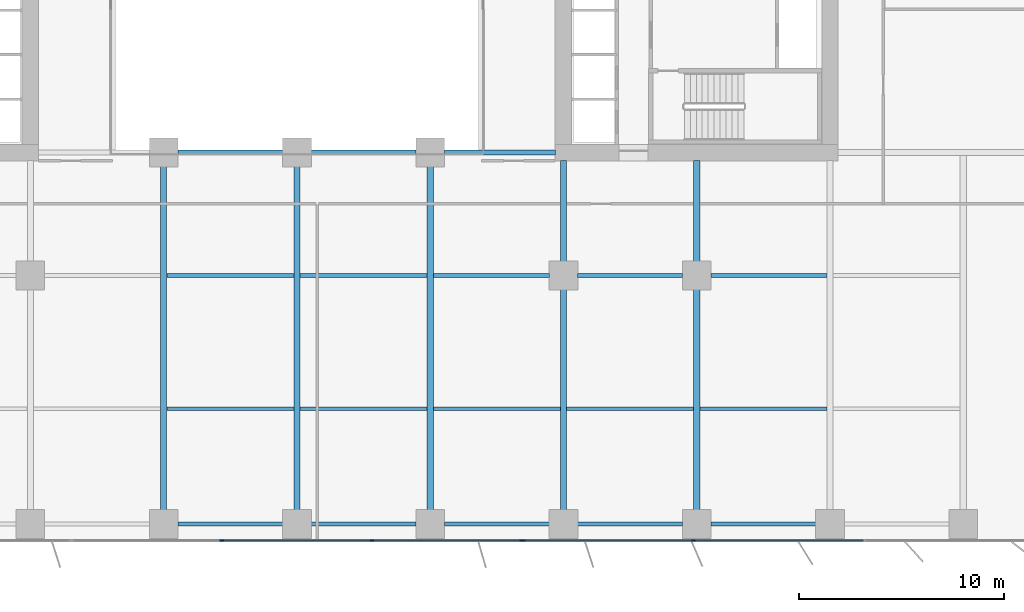
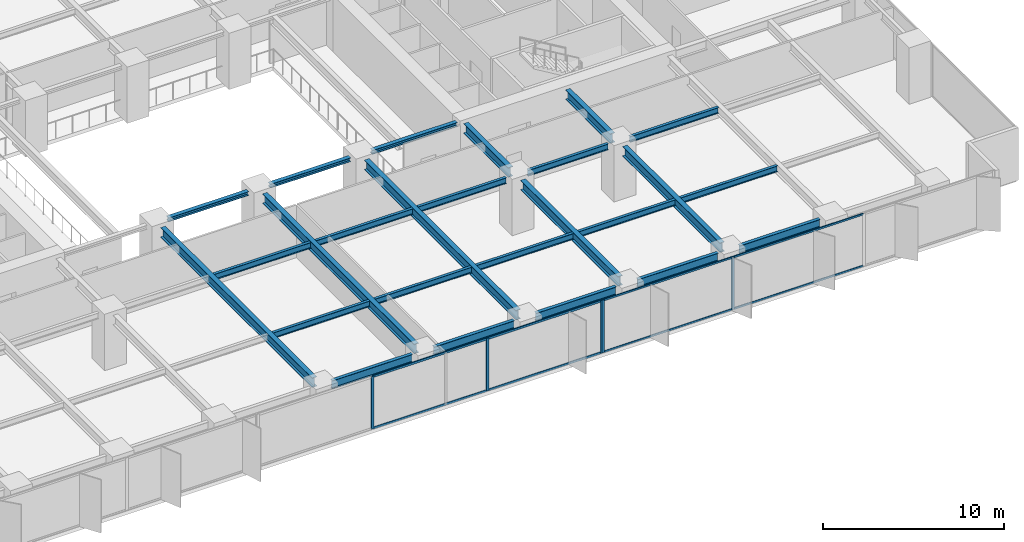
# One storey, part 5 of 20: 25 beams, 13 members, 2 elements without a shape of their own.
"""IFC4 building model written with IfcOpenShell, lengths in metres."""

from ifc_helpers import new_model, si_unit, direction, frame, origin, origin_2d, place, context, subcontext, project, spatial, rectangle, i_section, extrude, material, layer, layer_set, material_profile, profile_set, type_object, element, aggregate, save


model = new_model("IFC4")

# Units and contexts
model_context = context("Model", 3, precision=1e-05, world=origin(), true_north=direction((0.0, 1.0)))
body_context = subcontext(model_context, "Body", "Model", "MODEL_VIEW")
ifc_project = project(units=[si_unit("LENGTHUNIT", "METRE"), si_unit("AREAUNIT", "SQUARE_METRE"), si_unit("VOLUMEUNIT", "CUBIC_METRE"), si_unit("PLANEANGLEUNIT", "RADIAN"), si_unit("MASSUNIT", "GRAM", prefix="KILO")], contexts=[model_context])

# Site, building, storey
site_placement = place(None, origin())
site = spatial("IfcSite", under=ifc_project, at=site_placement, CompositionType="ELEMENT")
building_placement = place(site_placement, origin())
building = spatial("IfcBuilding", under=site, at=building_placement, Name="Putna Gate Headquarters", CompositionType="ELEMENT")
storey_placement = place(building_placement, frame((0.0, 0.0, 31.60009765625)))
storey = spatial("IfcBuildingStorey", under=building, at=storey_placement, Name="L06", CompositionType="ELEMENT", Elevation=31.60009765625)

# Beams
ifc_material_1 = material(Name="Steel S355J2", Category="steel")
ifc_material_profile_1 = material_profile(ifc_material_1, i_section(OverallWidth=0.260009765625, OverallDepth=0.260009765625, WebThickness=0.010009765625, FlangeThickness=0.017578125, at=origin_2d()), Name="Steel S355J2")
ifc_profile_set_1 = profile_set([ifc_material_profile_1], Name="Steel S355J2")
beam_type_1 = type_object("IfcBeamType", Name="BM-ATRIUM-HEB260", PredefinedType="BEAM", material=ifc_profile_set_1)
for number, where, z_axis, x_axis, name in (
    (1, (33.18798828125, 19.0, 3.419921875), (1.0, 0.0, 0.0), (0.0, 1.0, 0.0), "L06 Atrium Edge Beam AS2"),
    (2, (39.68798828125, 19.0, 3.419921875), (1.0, 0.0, 0.0), (0.0, 1.0, 0.0), "L06 Atrium Edge Beam AS3"),
):
    element("IfcBeam", number, at=place(storey_placement, frame(where, z_axis=z_axis, x_axis=x_axis)), inside=storey, type_object=beam_type_1, Name=name, PredefinedType="BEAM", context=body_context, shape_type="SweptSolid", body=[
        extrude(i_section(OverallWidth=0.260009765625, OverallDepth=0.260009765625, WebThickness=0.010009765625, FlangeThickness=0.017578125, at=origin_2d()), origin(), (0.0, 0.0, 1.0), 5.1240234375),
    ])
beam_1_placement = place(storey_placement, frame((46.18798828125, 19.0, 3.419921875), z_axis=(1.0, 0.0, 0.0), x_axis=(0.0, 1.0, 0.0)))
element("IfcBeam", 3, at=beam_1_placement, inside=storey, type_object=beam_type_1, Name="L06 Atrium Edge Beam AS4", PredefinedType="BEAM", context=body_context, shape_type="SweptSolid", body=[
    extrude(i_section(OverallWidth=0.260009765625, OverallDepth=0.260009765625, WebThickness=0.010009765625, FlangeThickness=0.017578125, at=origin_2d()), origin(), (0.0, 0.0, 1.0), 5.427001953125),
])
ifc_material_profile_2 = material_profile(ifc_material_1, i_section(OverallWidth=0.300048828125, OverallDepth=0.64990234375, WebThickness=0.01611328125, FlangeThickness=0.031005859375, at=origin_2d()), Name="Steel S355J2")
ifc_profile_set_2 = profile_set([ifc_material_profile_2], Name="Steel S355J2")
beam_type_2 = type_object("IfcBeamType", Name="BM-GIRD-Z1-HEB650", PredefinedType="USERDEFINED", material=ifc_profile_set_2)
for number, where, z_axis, x_axis, name in (
    (4, (32.5, 1.568115234375, 3.224853515625), (0.0, 1.0, 0.0), (-1.0, 0.0, 0.0), "L06 South Primary Girder X32"),
    (5, (39.0, 1.568115234375, 3.224853515625), (0.0, 1.0, 0.0), (-1.0, 0.0, 0.0), "L06 South Primary Girder X39"),
    (6, (45.5, 1.568115234375, 3.224853515625), (0.0, 1.0, 0.0), (-1.0, 0.0, 0.0), "L06 South Primary Girder X45"),
):
    element("IfcBeam", number, at=place(storey_placement, frame(where, z_axis=z_axis, x_axis=x_axis)), inside=storey, type_object=beam_type_2, Name=name, ObjectType="GIRDER", PredefinedType="USERDEFINED", context=body_context, shape_type="SweptSolid", body=[
        extrude(i_section(OverallWidth=0.300048828125, OverallDepth=0.64990234375, WebThickness=0.01611328125, FlangeThickness=0.031005859375, at=origin_2d()), origin(), (0.0, 0.0, 1.0), 16.743896484375),
    ])
beam_2_placement = place(storey_placement, frame((52.0, 1.568115234375, 3.224853515625), z_axis=(0.0, 1.0, 0.0), x_axis=(-1.0, 0.0, 0.0)))
element("IfcBeam", 7, at=beam_2_placement, inside=storey, type_object=beam_type_2, Name="L06 South Primary Girder X52-1", ObjectType="GIRDER", PredefinedType="USERDEFINED", context=body_context, shape_type="SweptSolid", body=[
    extrude(i_section(OverallWidth=0.300048828125, OverallDepth=0.64990234375, WebThickness=0.01611328125, FlangeThickness=0.031005859375, at=origin_2d()), origin(), (0.0, 0.0, 1.0), 10.743896484375),
])
beam_3_placement = place(storey_placement, frame((52.0, 13.68798828125, 3.224853515625), z_axis=(0.0, 1.0, 0.0), x_axis=(-1.0, 0.0, 0.0)))
element("IfcBeam", 8, at=beam_3_placement, inside=storey, type_object=beam_type_2, Name="L06 South Primary Girder X52-2", ObjectType="GIRDER", PredefinedType="USERDEFINED", context=body_context, shape_type="SweptSolid", body=[
    extrude(i_section(OverallWidth=0.300048828125, OverallDepth=0.64990234375, WebThickness=0.01611328125, FlangeThickness=0.031005859375, at=origin_2d()), origin(), (0.0, 0.0, 1.0), 4.927001953125),
])
beam_4_placement = place(storey_placement, frame((58.5, 1.568115234375, 3.224853515625), z_axis=(0.0, 1.0, 0.0), x_axis=(-1.0, 0.0, 0.0)))
element("IfcBeam", 9, at=beam_4_placement, inside=storey, type_object=beam_type_2, Name="L06 South Primary Girder X58-1", ObjectType="GIRDER", PredefinedType="USERDEFINED", context=body_context, shape_type="SweptSolid", body=[
    extrude(i_section(OverallWidth=0.300048828125, OverallDepth=0.64990234375, WebThickness=0.01611328125, FlangeThickness=0.031005859375, at=origin_2d()), origin(), (0.0, 0.0, 1.0), 10.743896484375),
])
beam_5_placement = place(storey_placement, frame((58.5, 13.68798828125, 3.224853515625), z_axis=(0.0, 1.0, 0.0), x_axis=(-1.0, 0.0, 0.0)))
element("IfcBeam", 10, at=beam_5_placement, inside=storey, type_object=beam_type_2, Name="L06 South Primary Girder X58-2", ObjectType="GIRDER", PredefinedType="USERDEFINED", context=body_context, shape_type="SweptSolid", body=[
    extrude(i_section(OverallWidth=0.300048828125, OverallDepth=0.64990234375, WebThickness=0.01611328125, FlangeThickness=0.031005859375, at=origin_2d()), origin(), (0.0, 0.0, 1.0), 4.927001953125),
])
ifc_material_profile_3 = material_profile(ifc_material_1, i_section(OverallWidth=0.179931640625, OverallDepth=0.39990234375, WebThickness=0.008544921875, FlangeThickness=0.013427734375, at=origin_2d()), Name="Steel S355J2")
ifc_profile_set_3 = profile_set([ifc_material_profile_3], Name="Steel S355J2")
beam_type_3 = type_object("IfcBeamType", Name="BM-SEC-Z1-IPE400", PredefinedType="BEAM", material=ifc_profile_set_3)
for number, where, z_axis, x_axis, name in (
    (11, (32.654052734375, 6.5, 3.349853515625), (1.0, 0.0, 0.0), (0.0, 1.0, 0.0), "L06 South Secondary Beam 5"),
    (12, (32.654052734375, 13.0, 3.349853515625), (1.0, 0.0, 0.0), (0.0, 1.0, 0.0), "L06 South Secondary Beam 5"),
    (13, (39.154052734375, 6.5, 3.349853515625), (1.0, 0.0, 0.0), (0.0, 1.0, 0.0), "L06 South Secondary Beam 6"),
    (14, (39.154052734375, 13.0, 3.349853515625), (1.0, 0.0, 0.0), (0.0, 1.0, 0.0), "L06 South Secondary Beam 6"),
    (15, (45.654052734375, 6.5, 3.349853515625), (1.0, 0.0, 0.0), (0.0, 1.0, 0.0), "L06 South Secondary Beam 7"),
):
    element("IfcBeam", number, at=place(storey_placement, frame(where, z_axis=z_axis, x_axis=x_axis)), inside=storey, type_object=beam_type_3, Name=name, PredefinedType="BEAM", context=body_context, shape_type="SweptSolid", body=[
        extrude(i_section(OverallWidth=0.179931640625, OverallDepth=0.39990234375, WebThickness=0.008544921875, FlangeThickness=0.013427734375, at=origin_2d()), origin(), (0.0, 0.0, 1.0), 6.19189453125),
    ])
beam_6_placement = place(storey_placement, frame((45.654052734375, 13.0, 3.349853515625), z_axis=(1.0, 0.0, 0.0), x_axis=(0.0, 1.0, 0.0)))
element("IfcBeam", 16, at=beam_6_placement, inside=storey, type_object=beam_type_3, Name="L06 South Secondary Beam 7", PredefinedType="BEAM", context=body_context, shape_type="SweptSolid", body=[
    extrude(i_section(OverallWidth=0.179931640625, OverallDepth=0.39990234375, WebThickness=0.008544921875, FlangeThickness=0.013427734375, at=origin_2d()), origin(), (0.0, 0.0, 1.0), 5.657958984375),
])
beam_7_placement = place(storey_placement, frame((52.154052734375, 6.5, 3.349853515625), z_axis=(1.0, 0.0, 0.0), x_axis=(0.0, 1.0, 0.0)))
element("IfcBeam", 17, at=beam_7_placement, inside=storey, type_object=beam_type_3, Name="L06 South Secondary Beam 8", PredefinedType="BEAM", context=body_context, shape_type="SweptSolid", body=[
    extrude(i_section(OverallWidth=0.179931640625, OverallDepth=0.39990234375, WebThickness=0.008544921875, FlangeThickness=0.013427734375, at=origin_2d()), origin(), (0.0, 0.0, 1.0), 6.19189453125),
])
beam_8_placement = place(storey_placement, frame((52.68798828125, 13.0, 3.349853515625), z_axis=(1.0, 0.0, 0.0), x_axis=(0.0, 1.0, 0.0)))
element("IfcBeam", 18, at=beam_8_placement, inside=storey, type_object=beam_type_3, Name="L06 South Secondary Beam 8", PredefinedType="BEAM", context=body_context, shape_type="SweptSolid", body=[
    extrude(i_section(OverallWidth=0.179931640625, OverallDepth=0.39990234375, WebThickness=0.008544921875, FlangeThickness=0.013427734375, at=origin_2d()), origin(), (0.0, 0.0, 1.0), 5.1240234375),
])
beam_9_placement = place(storey_placement, frame((58.654052734375, 6.5, 3.349853515625), z_axis=(1.0, 0.0, 0.0), x_axis=(0.0, 1.0, 0.0)))
element("IfcBeam", 19, at=beam_9_placement, inside=storey, type_object=beam_type_3, Name="L06 South Secondary Beam 9", PredefinedType="BEAM", context=body_context, shape_type="SweptSolid", body=[
    extrude(i_section(OverallWidth=0.179931640625, OverallDepth=0.39990234375, WebThickness=0.008544921875, FlangeThickness=0.013427734375, at=origin_2d()), origin(), (0.0, 0.0, 1.0), 6.19189453125),
])
beam_10_placement = place(storey_placement, frame((59.18798828125, 13.0, 3.349853515625), z_axis=(1.0, 0.0, 0.0), x_axis=(0.0, 1.0, 0.0)))
element("IfcBeam", 20, at=beam_10_placement, inside=storey, type_object=beam_type_3, Name="L06 South Secondary Beam 9", PredefinedType="BEAM", context=body_context, shape_type="SweptSolid", body=[
    extrude(i_section(OverallWidth=0.179931640625, OverallDepth=0.39990234375, WebThickness=0.008544921875, FlangeThickness=0.013427734375, at=origin_2d()), origin(), (0.0, 0.0, 1.0), 5.657958984375),
])
ifc_material_profile_4 = material_profile(ifc_material_1, i_section(OverallWidth=0.2099609375, OverallDepth=0.550048828125, WebThickness=0.010986328125, FlangeThickness=0.01708984375, at=origin_2d()), Name="Steel S355J2")
ifc_profile_set_4 = profile_set([ifc_material_profile_4], Name="Steel S355J2")
beam_type_4 = type_object("IfcBeamType", Name="BM-SPAN-Z1-IPE550", PredefinedType="SPANDREL", material=ifc_profile_set_4)
for number, where, z_axis, x_axis, name in (
    (21, (33.18798828125, 0.8798828125, 3.27490234375), (1.0, 0.0, 0.0), (0.0, 1.0, 0.0), "L06 S Perimeter Spandrel 5"),
    (22, (39.68798828125, 0.8798828125, 3.27490234375), (1.0, 0.0, 0.0), (0.0, 1.0, 0.0), "L06 S Perimeter Spandrel 6"),
    (23, (46.18798828125, 0.8798828125, 3.27490234375), (1.0, 0.0, 0.0), (0.0, 1.0, 0.0), "L06 S Perimeter Spandrel 7"),
    (24, (52.68798828125, 0.8798828125, 3.27490234375), (1.0, 0.0, 0.0), (0.0, 1.0, 0.0), "L06 S Perimeter Spandrel 8"),
    (25, (59.18798828125, 0.8798828125, 3.27490234375), (1.0, 0.0, 0.0), (0.0, 1.0, 0.0), "L06 S Perimeter Spandrel 9"),
):
    element("IfcBeam", number, at=place(storey_placement, frame(where, z_axis=z_axis, x_axis=x_axis)), inside=storey, type_object=beam_type_4, Name=name, PredefinedType="SPANDREL", context=body_context, shape_type="SweptSolid", body=[
        extrude(i_section(OverallWidth=0.2099609375, OverallDepth=0.550048828125, WebThickness=0.010986328125, FlangeThickness=0.01708984375, at=origin_2d()), origin(), (0.0, 0.0, 1.0), 5.1240234375),
    ])

# Curtain wall, members
ifc_material_2 = material(Name="Anodised bronze aluminium curtain wall", Category="aluminium")
ifc_layer_1 = layer(ifc_material_2, 0.179931640625)
ifc_layer_set_1 = layer_set([ifc_layer_1], Name="Anodised bronze aluminium curtain wall")
curtain_wall_type_1 = type_object("IfcCurtainWallType", Name="CW-SYS-Z1", PredefinedType="USERDEFINED", material=ifc_layer_set_1)
curtain_wall_1_placement = place(storey_placement, origin())
curtain_wall_1 = element("IfcCurtainWall", 26, at=curtain_wall_1_placement, inside=storey, type_object=curtain_wall_type_1, Name="L06 South East Curtain Wall", ObjectType="STICK CURTAIN WALL", PredefinedType="USERDEFINED")
ifc_material_3 = material(Name="Anodised bronze aluminium EN AW-6060", Category="aluminium")
ifc_material_profile_5 = material_profile(ifc_material_3, rectangle(XDim=0.070068359375, YDim=0.179931640625, at=origin_2d()), Name="Anodised bronze aluminium EN AW-6060")
ifc_profile_set_5 = profile_set([ifc_material_profile_5], Name="Anodised bronze aluminium EN AW-6060")
member_type_1 = type_object("IfcMemberType", Name="MULL-CWM-1", PredefinedType="MULLION", material=ifc_profile_set_5)
member_1_placement = place(storey_placement, frame((50.034912109375, 0.080078125, 0.0), z_axis=(0.0, 0.0, 1.0), x_axis=(0.0, 1.0, 0.0)))
member_1 = element("IfcMember", 27, at=member_1_placement, type_object=member_type_1, Name="CWS-1 mullion 1", PredefinedType="MULLION", context=body_context, shape_type="SweptSolid", body=[
    extrude(rectangle(XDim=0.070068359375, YDim=0.179931640625, at=origin_2d()), origin(), (0.0, 0.0, 1.0), 3.5498046875),
])
member_2_placement = place(storey_placement, frame((58.333251953125, 0.080078125, 0.0), z_axis=(0.0, 0.0, 1.0), x_axis=(0.0, 1.0, 0.0)))
member_2 = element("IfcMember", 28, at=member_2_placement, type_object=member_type_1, Name="CWS-1 mullion 2", PredefinedType="MULLION", context=body_context, shape_type="SweptSolid", body=[
    extrude(rectangle(XDim=0.070068359375, YDim=0.179931640625, at=origin_2d()), origin(), (0.0, 0.0, 1.0), 3.5498046875),
])

ifc_layer_2 = layer(ifc_material_2, 0.179931640625)
ifc_layer_set_2 = layer_set([ifc_layer_2], Name="Anodised bronze aluminium curtain wall")
curtain_wall_type_2 = type_object("IfcCurtainWallType", Name="CW-SYS-ATR", PredefinedType="USERDEFINED", material=ifc_layer_set_2)
curtain_wall_2_placement = place(storey_placement, origin())
curtain_wall_2 = element("IfcCurtainWall", 29, at=curtain_wall_2_placement, inside=storey, type_object=curtain_wall_type_2, Name="L06 South Atrium Clear Glazing", ObjectType="ATRIUM GLAZING", PredefinedType="USERDEFINED")
ifc_material_profile_6 = material_profile(ifc_material_3, rectangle(XDim=0.070068359375, YDim=0.179931640625, at=origin_2d()), Name="Anodised bronze aluminium EN AW-6060")
ifc_profile_set_6 = profile_set([ifc_material_profile_6], Name="Anodised bronze aluminium EN AW-6060")
member_type_2 = type_object("IfcMemberType", Name="MULL-CWM-AT", PredefinedType="MULLION", material=ifc_profile_set_6)
member_3_placement = place(storey_placement, frame((35.333251953125, 0.080078125, 0.0), z_axis=(0.0, 0.0, 1.0), x_axis=(0.0, 1.0, 0.0)))
member_3 = element("IfcMember", 30, at=member_3_placement, type_object=member_type_2, Name="CWS-AT mullion 2", PredefinedType="MULLION", context=body_context, shape_type="SweptSolid", body=[
    extrude(rectangle(XDim=0.070068359375, YDim=0.179931640625, at=origin_2d()), origin(), (0.0, 0.0, 1.0), 3.5498046875),
])
member_4_placement = place(storey_placement, frame((42.666748046875, 0.080078125, 0.0), z_axis=(0.0, 0.0, 1.0), x_axis=(0.0, 1.0, 0.0)))
member_4 = element("IfcMember", 31, at=member_4_placement, type_object=member_type_2, Name="CWS-AT mullion 3", PredefinedType="MULLION", context=body_context, shape_type="SweptSolid", body=[
    extrude(rectangle(XDim=0.070068359375, YDim=0.179931640625, at=origin_2d()), origin(), (0.0, 0.0, 1.0), 3.5498046875),
])
member_5_placement = place(storey_placement, frame((49.965087890625, 0.080078125, 0.0), z_axis=(0.0, 0.0, 1.0), x_axis=(0.0, 1.0, 0.0)))
member_5 = element("IfcMember", 32, at=member_5_placement, type_object=member_type_2, Name="CWS-AT mullion 4", PredefinedType="MULLION", context=body_context, shape_type="SweptSolid", body=[
    extrude(rectangle(XDim=0.070068359375, YDim=0.179931640625, at=origin_2d()), origin(), (0.0, 0.0, 1.0), 3.5498046875),
])

# Member
ifc_material_profile_7 = material_profile(ifc_material_3, rectangle(XDim=0.06494140625, YDim=0.1201171875, at=origin_2d()), Name="Anodised bronze aluminium EN AW-6060")
ifc_profile_set_7 = profile_set([ifc_material_profile_7], Name="Anodised bronze aluminium EN AW-6060")
member_type_3 = type_object("IfcMemberType", Name="TRAN-CWT-1", PredefinedType="USERDEFINED", material=ifc_profile_set_7)
member_6_placement = place(storey_placement, frame((50.070068359375, 0.080078125, 0.032470703125), z_axis=(1.0, 0.0, 0.0), x_axis=(0.0, 1.0, 0.0)))
member_6 = element("IfcMember", 33, at=member_6_placement, type_object=member_type_3, Name="CWS-1 transom 1.1", ObjectType="TRANSOM", PredefinedType="USERDEFINED", context=body_context, shape_type="SweptSolid", body=[
    extrude(rectangle(XDim=0.06494140625, YDim=0.1201171875, at=origin_2d()), origin(), (0.0, 0.0, 1.0), 8.228271484375),
])

member_7_placement = place(storey_placement, frame((50.070068359375, 0.080078125, 3.517333984375), z_axis=(1.0, 0.0, 0.0), x_axis=(0.0, 1.0, 0.0)))
member_7 = element("IfcMember", 34, at=member_7_placement, type_object=member_type_3, Name="CWS-1 transom 1.2", ObjectType="TRANSOM", PredefinedType="USERDEFINED", context=body_context, shape_type="SweptSolid", body=[
    extrude(rectangle(XDim=0.06494140625, YDim=0.1201171875, at=origin_2d()), origin(), (0.0, 0.0, 1.0), 8.228271484375),
])

member_8_placement = place(storey_placement, frame((58.368408203125, 0.080078125, 0.032470703125), z_axis=(1.0, 0.0, 0.0), x_axis=(0.0, 1.0, 0.0)))
member_8 = element("IfcMember", 35, at=member_8_placement, type_object=member_type_3, Name="CWS-1 transom 2.1", ObjectType="TRANSOM", PredefinedType="USERDEFINED", context=body_context, shape_type="SweptSolid", body=[
    extrude(rectangle(XDim=0.06494140625, YDim=0.1201171875, at=origin_2d()), origin(), (0.0, 0.0, 1.0), 8.26318359375),
])

member_9_placement = place(storey_placement, frame((58.368408203125, 0.080078125, 3.517333984375), z_axis=(1.0, 0.0, 0.0), x_axis=(0.0, 1.0, 0.0)))
member_9 = element("IfcMember", 36, at=member_9_placement, type_object=member_type_3, Name="CWS-1 transom 2.2", ObjectType="TRANSOM", PredefinedType="USERDEFINED", context=body_context, shape_type="SweptSolid", body=[
    extrude(rectangle(XDim=0.06494140625, YDim=0.1201171875, at=origin_2d()), origin(), (0.0, 0.0, 1.0), 8.26318359375),
])

aggregate(curtain_wall_1, [member_1, member_2, member_6, member_7, member_8, member_9])

ifc_material_profile_8 = material_profile(ifc_material_3, rectangle(XDim=0.070068359375, YDim=0.139892578125, at=origin_2d()), Name="Anodised bronze aluminium EN AW-6060")
ifc_profile_set_8 = profile_set([ifc_material_profile_8], Name="Anodised bronze aluminium EN AW-6060")
member_type_4 = type_object("IfcMemberType", Name="TRAN-CWT-AT", PredefinedType="USERDEFINED", material=ifc_profile_set_8)
member_10_placement = place(storey_placement, frame((35.368408203125, 0.080078125, 0.034912109375), z_axis=(1.0, 0.0, 0.0), x_axis=(0.0, 1.0, 0.0)))
member_10 = element("IfcMember", 37, at=member_10_placement, type_object=member_type_4, Name="CWS-AT transom 2.1", ObjectType="TRANSOM", PredefinedType="USERDEFINED", context=body_context, shape_type="SweptSolid", body=[
    extrude(rectangle(XDim=0.070068359375, YDim=0.139892578125, at=origin_2d()), origin(), (0.0, 0.0, 1.0), 7.26318359375),
])

member_11_placement = place(storey_placement, frame((35.368408203125, 0.080078125, 3.514892578125), z_axis=(1.0, 0.0, 0.0), x_axis=(0.0, 1.0, 0.0)))
member_11 = element("IfcMember", 38, at=member_11_placement, type_object=member_type_4, Name="CWS-AT transom 2.2", ObjectType="TRANSOM", PredefinedType="USERDEFINED", context=body_context, shape_type="SweptSolid", body=[
    extrude(rectangle(XDim=0.070068359375, YDim=0.139892578125, at=origin_2d()), origin(), (0.0, 0.0, 1.0), 7.26318359375),
])

member_12_placement = place(storey_placement, frame((42.70166015625, 0.080078125, 0.034912109375), z_axis=(1.0, 0.0, 0.0), x_axis=(0.0, 1.0, 0.0)))
member_12 = element("IfcMember", 39, at=member_12_placement, type_object=member_type_4, Name="CWS-AT transom 3.1", ObjectType="TRANSOM", PredefinedType="USERDEFINED", context=body_context, shape_type="SweptSolid", body=[
    extrude(rectangle(XDim=0.070068359375, YDim=0.139892578125, at=origin_2d()), origin(), (0.0, 0.0, 1.0), 7.228271484375),
])

member_13_placement = place(storey_placement, frame((42.70166015625, 0.080078125, 3.514892578125), z_axis=(1.0, 0.0, 0.0), x_axis=(0.0, 1.0, 0.0)))
member_13 = element("IfcMember", 40, at=member_13_placement, type_object=member_type_4, Name="CWS-AT transom 3.2", ObjectType="TRANSOM", PredefinedType="USERDEFINED", context=body_context, shape_type="SweptSolid", body=[
    extrude(rectangle(XDim=0.070068359375, YDim=0.139892578125, at=origin_2d()), origin(), (0.0, 0.0, 1.0), 7.228271484375),
])

aggregate(curtain_wall_2, [member_3, member_4, member_5, member_10, member_11, member_12, member_13])

save(model, "model.ifc")
